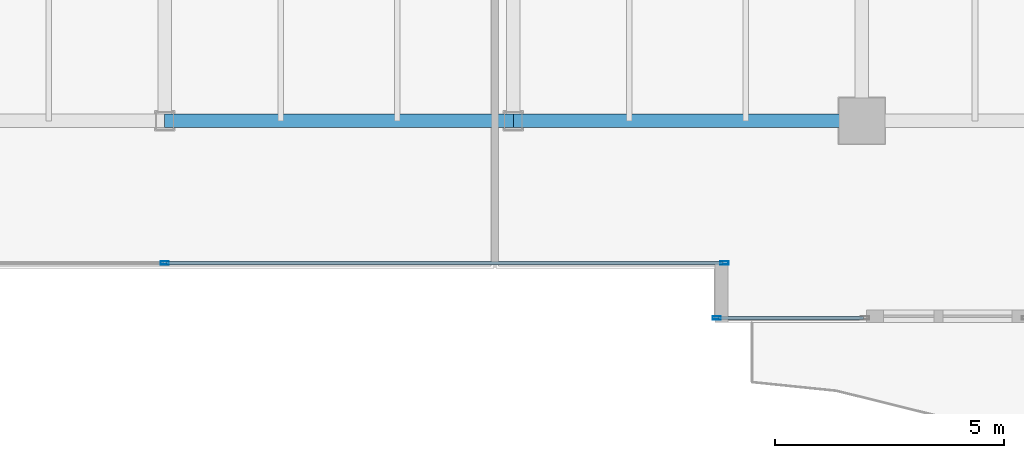
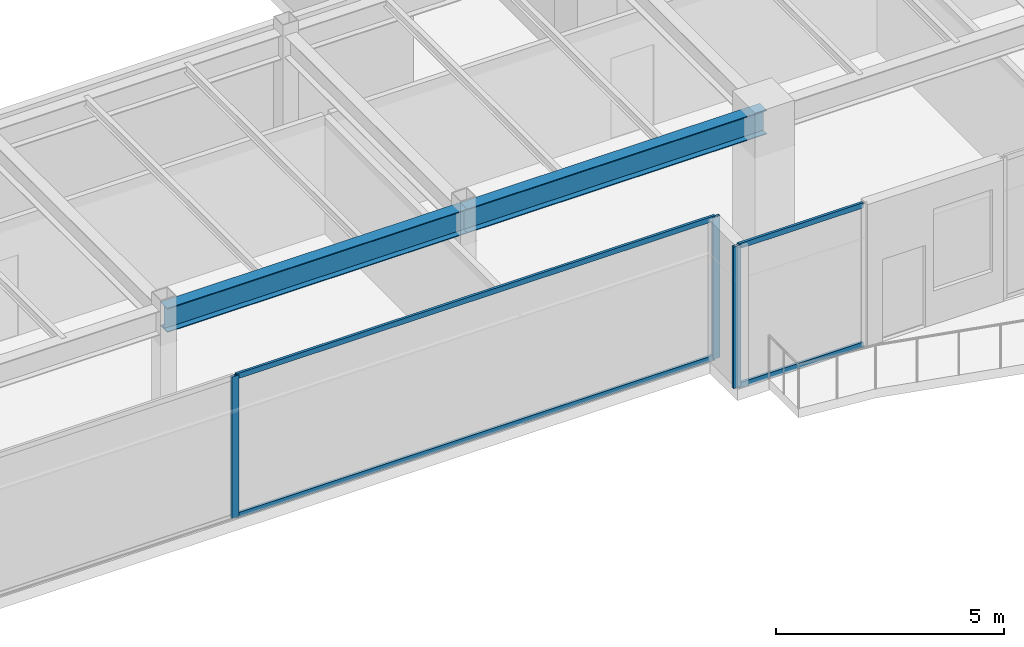
# One storey, part 10 of 35: 7 members, 2 beams, 2 elements without a shape of their own.
"""IFC4 building model written with IfcOpenShell, lengths in metres."""

from ifc_helpers import new_model, si_unit, direction, frame, origin, origin_2d, place, context, subcontext, project, spatial, hollow_rectangle, i_section, extrude, source, transform, mapped, material, layer, layer_set, material_profile, profile_set, type_object, type_shapes, element, aggregate, save


model = new_model("IFC4")

# Units and contexts
model_context = context("Model", 3, precision=1e-05, world=origin(), true_north=direction((0.0, 1.0)))
body_context = subcontext(model_context, "Body", "Model", "MODEL_VIEW")
ifc_project = project(units=[si_unit("LENGTHUNIT", "METRE"), si_unit("AREAUNIT", "SQUARE_METRE"), si_unit("VOLUMEUNIT", "CUBIC_METRE"), si_unit("PLANEANGLEUNIT", "RADIAN"), si_unit("MASSUNIT", "GRAM", prefix="KILO")], contexts=[model_context])

# Site, building, storey
site_placement = place(None, origin())
site = spatial("IfcSite", under=ifc_project, at=site_placement, CompositionType="ELEMENT")
building_placement = place(site_placement, origin())
building = spatial("IfcBuilding", under=site, at=building_placement, Name="Haelvirn Gate Laboratories", CompositionType="ELEMENT")
storey_placement = place(building_placement, frame((0.0, 0.0, 283.39990234375)))
storey = spatial("IfcBuildingStorey", under=building, at=storey_placement, Name="L68", CompositionType="ELEMENT", Elevation=283.39990234375)

# Beams
ifc_material_1 = material(Name="Steel SM355", Category="steel")
ifc_material_profile_1 = material_profile(ifc_material_1, i_section(OverallWidth=0.300048828125, OverallDepth=0.64990234375, WebThickness=0.012939453125, FlangeThickness=0.02197265625, at=origin_2d()), Name="H-650x300x13x22")
ifc_profile_set_1 = profile_set([ifc_material_profile_1], Name="Steel SM355")
beam_type = type_object("IfcBeamType", Name="BM-G-650", PredefinedType="BEAM", material=ifc_profile_set_1)
shared_shape_1 = source(origin(), body_context, "Body", "SweptSolid", [
    extrude(i_section(OverallWidth=0.300048828125, OverallDepth=0.64990234375, WebThickness=0.012939453125, FlangeThickness=0.02197265625, at=origin_2d()), origin(), (0.0, 0.0, 1.0), 7.60009765625),
])
type_shapes(beam_type, [shared_shape_1])
for number, where, z_axis, x_axis, name in (
    (1, (37.39990234375, 7.0, 3.47509765625), (1.0, 0.0, 0.0), (0.0, 1.0, 0.0), "L68 Primary Girder Y7.0 (37.4-45.0)"),
    (2, (45.0, 7.0, 3.47509765625), (1.0, 0.0, 0.0), (0.0, 1.0, 0.0), "L68 Primary Girder Y7.0 (45.0-52.6)"),
):
    element("IfcBeam", number, at=place(storey_placement, frame(where, z_axis=z_axis, x_axis=x_axis)), inside=storey, type_object=beam_type, Name=name, PredefinedType="BEAM", context=body_context, shape_type="MappedRepresentation", body=[
        mapped(shared_shape_1, transform((0.0, 0.0, 0.0), scale=1.0)),
    ])

# Curtain wall, members
ifc_material_2 = material(Name="Anodised bronze unitised aluminium & triple low-E glass", Category="aluminium")
ifc_layer = layer(ifc_material_2, 0.176025390625, Name="CW-SYS-4")
ifc_layer_set = layer_set([ifc_layer], Name="Anodised bronze unitised aluminium & triple low-E glass")
curtain_wall_type = type_object("IfcCurtainWallType", Name="CW-SYS-4", PredefinedType="NOTDEFINED", material=ifc_layer_set)
curtain_wall_1_placement = place(storey_placement, origin())
curtain_wall_1 = element("IfcCurtainWall", 3, at=curtain_wall_1_placement, inside=storey, type_object=curtain_wall_type, Name="L68 Unitised Curtain Wall CW-L68-P0-E02-1", PredefinedType="NOTDEFINED")
ifc_material_3 = material(Name="Extruded aluminium 6063-T6 (anodised bronze)", Category="aluminium")
ifc_material_profile_2 = material_profile(ifc_material_3, hollow_rectangle(XDim=0.06494140625, YDim=0.139892578125, WallThickness=0.00390625, at=origin_2d()), Name="CWT-140x65x4")
ifc_profile_set_2 = profile_set([ifc_material_profile_2], Name="Extruded aluminium 6063-T6 (anodised bronze)")
member_type_1 = type_object("IfcMemberType", Name="CWT-T140", PredefinedType="USERDEFINED", material=ifc_profile_set_2)
shared_shape_2 = source(origin(), body_context, "Body", "SweptSolid", [
    extrude(hollow_rectangle(XDim=0.06494140625, YDim=0.139892578125, WallThickness=0.00390625, at=origin_2d()), origin(), (0.0, 0.0, 1.0), 12.135009765625),
])
member_1_placement = place(storey_placement, frame((37.43505859375, 3.89990234375, 0.03271484375), z_axis=(1.0, 0.0, 0.0), x_axis=(0.0, 1.0, 0.0)))
member_1 = element("IfcMember", 4, at=member_1_placement, type_object=member_type_1, Name="CW4 transom 2.1", ObjectType="TRANSOM", PredefinedType="USERDEFINED", context=body_context, shape_type="MappedRepresentation", body=[
    mapped(shared_shape_2, transform((0.0, 0.0, 0.0), scale=1.0)),
])
member_2_placement = place(storey_placement, frame((37.43505859375, 3.89990234375, 3.767578125), z_axis=(1.0, 0.0, 0.0), x_axis=(0.0, 1.0, 0.0)))
member_2 = element("IfcMember", 5, at=member_2_placement, type_object=member_type_1, Name="CW4 transom 2.2", ObjectType="TRANSOM", PredefinedType="USERDEFINED", context=body_context, shape_type="MappedRepresentation", body=[
    mapped(shared_shape_2, transform((0.0, 0.0, 0.0), scale=1.0)),
])
ifc_material_profile_3 = material_profile(ifc_material_3, hollow_rectangle(XDim=0.070068359375, YDim=0.179931640625, WallThickness=0.0048828125, at=origin_2d()), Name="CWM-180x70x5")
ifc_profile_set_3 = profile_set([ifc_material_profile_3], Name="Extruded aluminium 6063-T6 (anodised bronze)")
member_type_2 = type_object("IfcMemberType", Name="CWM-T180", PredefinedType="MULLION", material=ifc_profile_set_3)
shared_shape_3 = source(origin(), body_context, "Body", "SweptSolid", [
    extrude(hollow_rectangle(XDim=0.070068359375, YDim=0.179931640625, WallThickness=0.0048828125, at=origin_2d()), origin(), (0.0, 0.0, 1.0), 3.800048828125),
])
type_shapes(member_type_2, [shared_shape_3])
member_3_placement = place(storey_placement, frame((37.39990234375, 3.89990234375, 0.0), z_axis=(0.0, 0.0, 1.0), x_axis=(0.0, 1.0, 0.0)))
member_3 = element("IfcMember", 6, at=member_3_placement, type_object=member_type_2, Name="CW4 mullion 2", PredefinedType="MULLION", context=body_context, shape_type="MappedRepresentation", body=[
    mapped(shared_shape_3, transform((0.0, 0.0, 0.0), scale=1.0)),
])
member_4_placement = place(storey_placement, frame((49.60498046875, 3.89990234375, 0.0), z_axis=(0.0, 0.0, 1.0), x_axis=(0.0, 1.0, 0.0)))
member_4 = element("IfcMember", 7, at=member_4_placement, type_object=member_type_2, Name="CW4 mullion 3", PredefinedType="MULLION", context=body_context, shape_type="MappedRepresentation", body=[
    mapped(shared_shape_3, transform((0.0, 0.0, 0.0), scale=1.0)),
])
aggregate(curtain_wall_1, [member_3, member_4, member_1, member_2])

curtain_wall_2_placement = place(storey_placement, origin())
curtain_wall_2 = element("IfcCurtainWall", 8, at=curtain_wall_2_placement, inside=storey, type_object=curtain_wall_type, Name="L68 Unitised Curtain Wall CW-L68-P0-E04-1", PredefinedType="NOTDEFINED")
member_5_placement = place(storey_placement, frame((49.43505859375, 2.699951171875, 0.0), z_axis=(0.0, 0.0, 1.0), x_axis=(0.0, 1.0, 0.0)))
member_5 = element("IfcMember", 9, at=member_5_placement, type_object=member_type_2, Name="CW4 mullion 1", PredefinedType="MULLION", context=body_context, shape_type="MappedRepresentation", body=[
    mapped(shared_shape_3, transform((0.0, 0.0, 0.0), scale=1.0)),
])
shared_shape_4 = source(origin(), body_context, "Body", "SweptSolid", [
    extrude(hollow_rectangle(XDim=0.06494140625, YDim=0.139892578125, WallThickness=0.00390625, at=origin_2d()), origin(), (0.0, 0.0, 1.0), 3.1650390625),
])
type_shapes(member_type_1, [shared_shape_2, shared_shape_4])
member_6_placement = place(storey_placement, frame((49.469970703125, 2.699951171875, 0.03271484375), z_axis=(1.0, 0.0, 0.0), x_axis=(0.0, 1.0, 0.0)))
member_6 = element("IfcMember", 10, at=member_6_placement, type_object=member_type_1, Name="CW4 transom 1.1", ObjectType="TRANSOM", PredefinedType="USERDEFINED", context=body_context, shape_type="MappedRepresentation", body=[
    mapped(shared_shape_4, transform((0.0, 0.0, 0.0), scale=1.0)),
])
member_7_placement = place(storey_placement, frame((49.469970703125, 2.699951171875, 3.767578125), z_axis=(1.0, 0.0, 0.0), x_axis=(0.0, 1.0, 0.0)))
member_7 = element("IfcMember", 11, at=member_7_placement, type_object=member_type_1, Name="CW4 transom 1.2", ObjectType="TRANSOM", PredefinedType="USERDEFINED", context=body_context, shape_type="MappedRepresentation", body=[
    mapped(shared_shape_4, transform((0.0, 0.0, 0.0), scale=1.0)),
])
aggregate(curtain_wall_2, [member_5, member_6, member_7])

save(model, "model.ifc")
